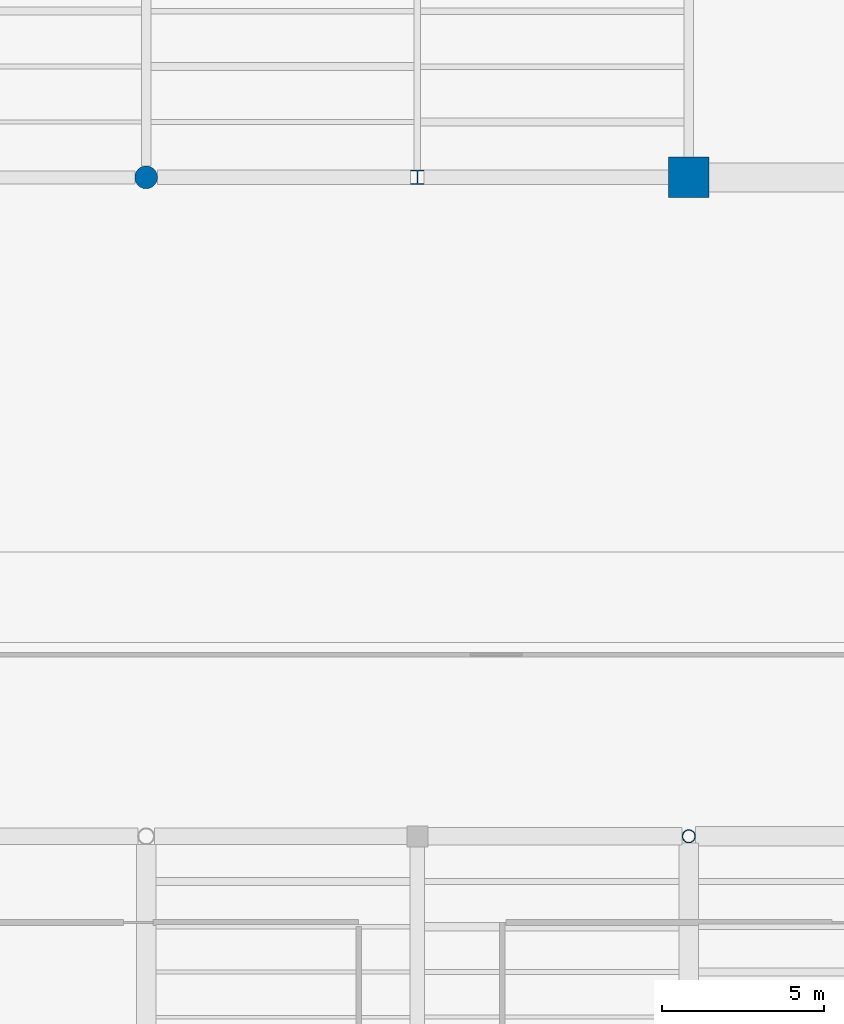
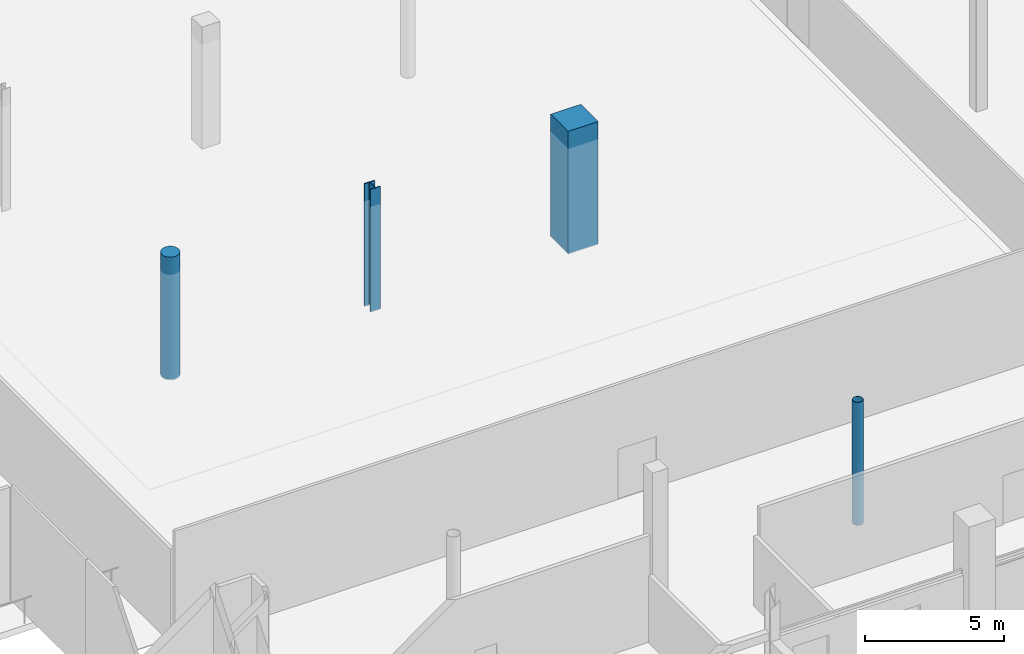
# One storey, part 3 of 111: 4 columns.
"""IFC4 building model written with IfcOpenShell, lengths in metres."""

from ifc_helpers import new_model, si_unit, direction, frame, origin, origin_2d, place, context, subcontext, project, spatial, rectangle, circle, hollow_circle, i_section, extrude, material, material_profile, profile_set, type_object, element, save


model = new_model("IFC4")

# Units and contexts
model_context = context("Model", 3, precision=1e-05, world=origin(), true_north=direction((0.0, 1.0)))
body_context = subcontext(model_context, "Body", "Model", "MODEL_VIEW")
ifc_project = project(units=[si_unit("LENGTHUNIT", "METRE"), si_unit("AREAUNIT", "SQUARE_METRE"), si_unit("VOLUMEUNIT", "CUBIC_METRE"), si_unit("PLANEANGLEUNIT", "RADIAN"), si_unit("MASSUNIT", "GRAM", prefix="KILO")], contexts=[model_context])

# Site, building, storey
site_placement = place(None, origin())
site = spatial("IfcSite", under=ifc_project, at=site_placement, CompositionType="ELEMENT")
building_placement = place(site_placement, origin())
building = spatial("IfcBuilding", under=site, at=building_placement, Name="Larkvane Passage Sports Hall", CompositionType="ELEMENT")
storey_placement = place(building_placement, origin())
storey = spatial("IfcBuildingStorey", under=building, at=storey_placement, Name="L00", CompositionType="ELEMENT", Elevation=0.0)

# Columns
ifc_material_1 = material(Name="Concrete C40/50", Category="concrete")
ifc_material_profile_1 = material_profile(ifc_material_1, circle(Radius=0.35009765625, at=origin_2d()), Name="RC-CIR-700")
ifc_profile_set_1 = profile_set([ifc_material_profile_1], Name="Concrete C40/50")
column_type_1 = type_object("IfcColumnType", Name="COL-CIR-700", PredefinedType="COLUMN", material=ifc_profile_set_1)
column_1_placement = place(storey_placement, frame((51.60009765625, 51.60009765625, 0.0), z_axis=(0.0, 0.0, 1.0), x_axis=(1.0, 0.0, 0.0)))
element("IfcColumn", 1, at=column_1_placement, inside=storey, type_object=column_type_1, Name="Column 8/G L00", PredefinedType="COLUMN", context=body_context, shape_type="SweptSolid", body=[
    extrude(circle(Radius=0.35009765625, at=origin_2d()), origin(), (0.0, 0.0, 1.0), 5.39990234375),
])
ifc_material_2 = material(Name="Concrete C50/60", Category="concrete")
ifc_material_profile_2 = material_profile(ifc_material_2, rectangle(XDim=1.25, YDim=1.25, at=origin_2d()), Name="RC-COL-1250x1250")
ifc_profile_set_2 = profile_set([ifc_material_profile_2], Name="Concrete C50/60")
column_type_2 = type_object("IfcColumnType", Name="COL-RC-1250", PredefinedType="COLUMN", material=ifc_profile_set_2)
column_2_placement = place(storey_placement, frame((68.39990234375, 51.60009765625, 0.0), z_axis=(0.0, 0.0, 1.0), x_axis=(1.0, 0.0, 0.0)))
element("IfcColumn", 2, at=column_2_placement, inside=storey, type_object=column_type_2, Name="Column 10/G L00", PredefinedType="COLUMN", context=body_context, shape_type="SweptSolid", body=[
    extrude(rectangle(XDim=1.25, YDim=1.25, at=origin_2d()), origin(), (0.0, 0.0, 1.0), 5.39990234375),
])
ifc_material_3 = material(Name="Steel S355JR", Category="steel")
ifc_material_profile_3 = material_profile(ifc_material_3, hollow_circle(Radius=0.203125, WallThickness=0.01611328125, at=origin_2d()), Name="CHS-406.4x16.0")
ifc_profile_set_3 = profile_set([ifc_material_profile_3], Name="Steel S355JR")
column_type_3 = type_object("IfcColumnType", Name="COL-STL-CHS406", PredefinedType="COLUMN", material=ifc_profile_set_3)
column_3_placement = place(storey_placement, frame((68.39990234375, 31.199951171875, 0.0), z_axis=(0.0, 0.0, 1.0), x_axis=(1.0, 0.0, 0.0)))
element("IfcColumn", 3, at=column_3_placement, inside=storey, type_object=column_type_3, Name="Column 10/E L00", PredefinedType="COLUMN", context=body_context, shape_type="SweptSolid", body=[
    extrude(hollow_circle(Radius=0.203125, WallThickness=0.01611328125, at=origin_2d()), origin(), (0.0, 0.0, 1.0), 5.39990234375),
])
ifc_material_4 = material(Name="Steel S460N", Category="steel")
ifc_material_profile_4 = material_profile(ifc_material_4, i_section(OverallWidth=0.4169921875, OverallDepth=0.4580078125, WebThickness=0.030029296875, FlangeThickness=0.0400390625, FilletRadius=0.02197265625, at=origin_2d()), Name="H-458x417x30x40")
ifc_profile_set_4 = profile_set([ifc_material_profile_4], Name="Steel S460N")
column_type_4 = type_object("IfcColumnType", Name="COL-STL-H458", PredefinedType="COLUMN", material=ifc_profile_set_4)
column_4_placement = place(storey_placement, frame((60.0, 51.60009765625, 0.0), z_axis=(0.0, 0.0, 1.0), x_axis=(1.0, 0.0, 0.0)))
element("IfcColumn", 4, at=column_4_placement, inside=storey, type_object=column_type_4, Name="Column 9/G L00", PredefinedType="COLUMN", context=body_context, shape_type="SweptSolid", body=[
    extrude(i_section(OverallWidth=0.4169921875, OverallDepth=0.4580078125, WebThickness=0.030029296875, FlangeThickness=0.0400390625, FilletRadius=0.02197265625, at=origin_2d()), origin(), (0.0, 0.0, 1.0), 5.39990234375),
])

save(model, "model.ifc")
